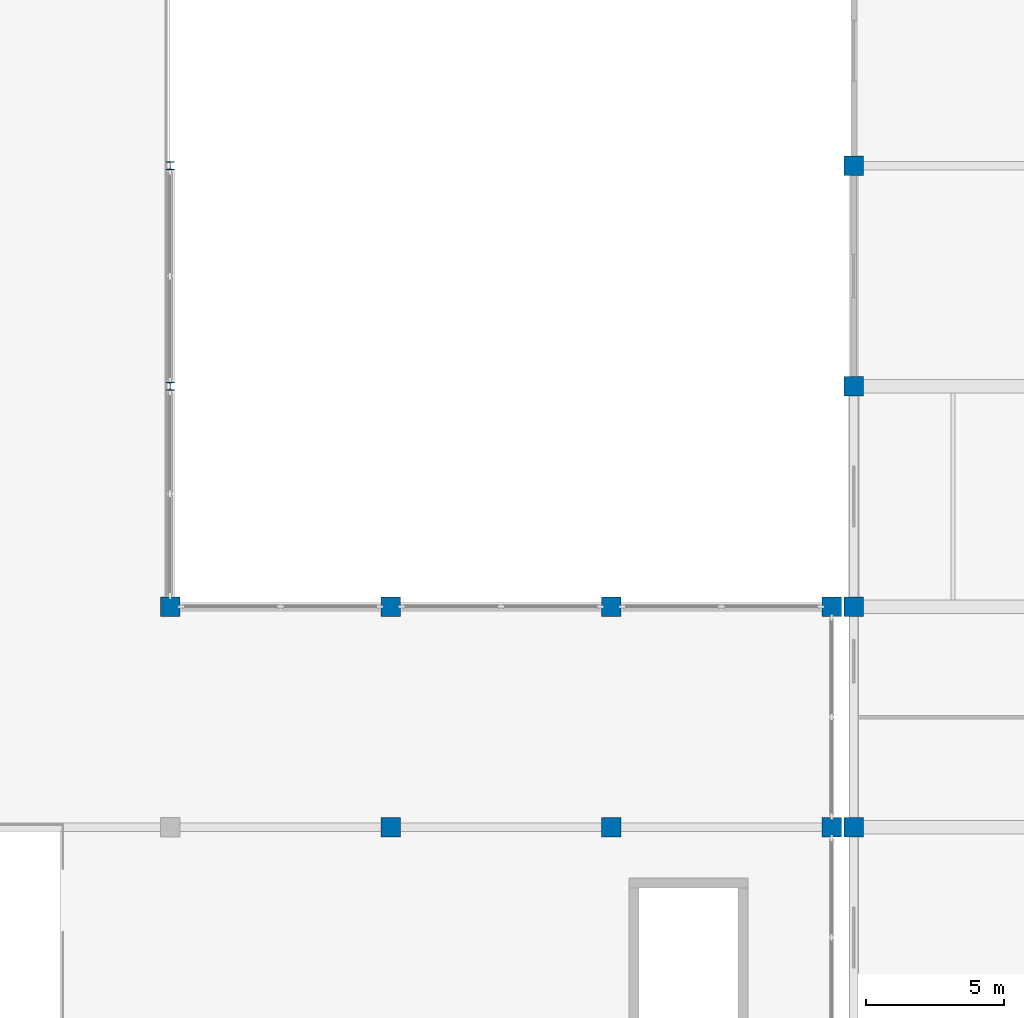
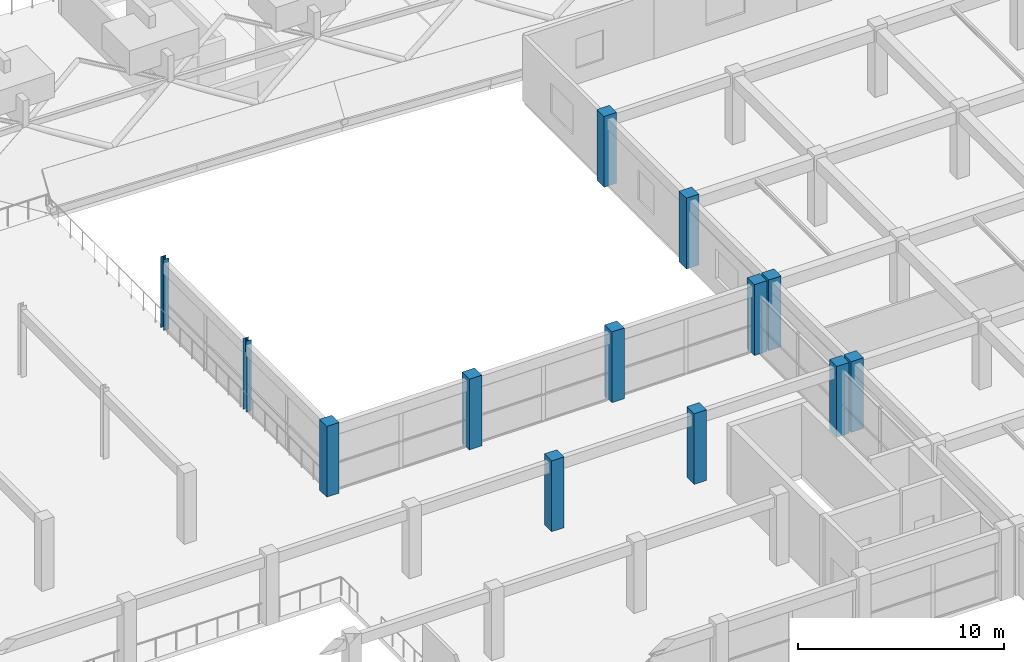
# One storey, part 3 of 67: 13 columns.
"""IFC4 building model written with IfcOpenShell, lengths in metres."""

from ifc_helpers import new_model, si_unit, direction, frame, origin, origin_2d, place, context, subcontext, project, spatial, rectangle, i_section, extrude, material, material_profile, profile_set, type_object, element, save


model = new_model("IFC4")

# Units and contexts
model_context = context("Model", 3, precision=1e-05, world=origin(), true_north=direction((0.0, 1.0)))
body_context = subcontext(model_context, "Body", "Model", "MODEL_VIEW")
ifc_project = project(units=[si_unit("LENGTHUNIT", "METRE"), si_unit("AREAUNIT", "SQUARE_METRE"), si_unit("VOLUMEUNIT", "CUBIC_METRE"), si_unit("PLANEANGLEUNIT", "RADIAN"), si_unit("MASSUNIT", "GRAM", prefix="KILO")], contexts=[model_context])

# Site, building, storey
site_placement = place(None, origin())
site = spatial("IfcSite", under=ifc_project, at=site_placement, CompositionType="ELEMENT")
building_placement = place(site_placement, origin())
building = spatial("IfcBuilding", under=site, at=building_placement, Name="Kenh Van Central Station", CompositionType="ELEMENT")
storey_placement = place(building_placement, frame((0.0, 0.0, 10.800048828125)))
storey = spatial("IfcBuildingStorey", under=building, at=storey_placement, Name="L02", CompositionType="ELEMENT", Elevation=10.800048828125)

# Columns
ifc_material_1 = material(Name="Concrete C40/50", Category="concrete")
ifc_material_profile_1 = material_profile(ifc_material_1, rectangle(XDim=0.699951171875, YDim=0.699951171875, at=origin_2d()), Name="RC 700x700")
ifc_profile_set_1 = profile_set([ifc_material_profile_1], Name="Concrete C40/50")
column_type_1 = type_object("IfcColumnType", Name="COL-RC-700x700", PredefinedType="COLUMN", material=ifc_profile_set_1)
for number, where, z_axis, x_axis, name in (
    (1, (96.0, 40.0, 0.0), (0.0, 0.0, 1.0), (1.0, 0.0, 0.0), "L02 column CC-096-040"),
    (2, (104.0, 32.0, 0.0), (0.0, 0.0, 1.0), (1.0, 0.0, 0.0), "L02 column CC-104-032"),
    (3, (104.0, 40.0, 0.0), (0.0, 0.0, 1.0), (1.0, 0.0, 0.0), "L02 column CC-104-040"),
    (4, (112.0, 32.0, 0.0), (0.0, 0.0, 1.0), (1.0, 0.0, 0.0), "L02 column CC-112-032"),
    (5, (112.0, 40.0, 0.0), (0.0, 0.0, 1.0), (1.0, 0.0, 0.0), "L02 column CC-112-040"),
    (6, (120.0, 32.0, 0.0), (0.0, 0.0, 1.0), (1.0, 0.0, 0.0), "L02 column CC-120-032"),
    (7, (120.0, 40.0, 0.0), (0.0, 0.0, 1.0), (1.0, 0.0, 0.0), "L02 column CC-120-040"),
    (8, (120.800048828125, 32.0, 0.0), (0.0, 0.0, 1.0), (1.0, 0.0, 0.0), "L02 column CE-1208-032"),
    (9, (120.800048828125, 40.0, 0.0), (0.0, 0.0, 1.0), (1.0, 0.0, 0.0), "L02 column CE-1208-040"),
    (10, (120.800048828125, 48.0, 0.0), (0.0, 0.0, 1.0), (1.0, 0.0, 0.0), "L02 column CE-1208-048"),
    (11, (120.800048828125, 56.0, 0.0), (0.0, 0.0, 1.0), (1.0, 0.0, 0.0), "L02 column CE-1208-056"),
):
    element("IfcColumn", number, at=place(storey_placement, frame(where, z_axis=z_axis, x_axis=x_axis)), inside=storey, type_object=column_type_1, Name=name, PredefinedType="COLUMN", context=body_context, shape_type="SweptSolid", body=[
        extrude(rectangle(XDim=0.699951171875, YDim=0.699951171875, at=origin_2d()), origin(), (0.0, 0.0, 1.0), 4.199951171875),
    ])
ifc_material_2 = material(Name="Steel S355", Category="steel")
ifc_material_profile_2 = material_profile(ifc_material_2, i_section(OverallWidth=0.300048828125, OverallDepth=0.300048828125, WebThickness=0.010986328125, FlangeThickness=0.01904296875, FilletRadius=0.027099609375, at=origin_2d()), Name="HEB 300")
ifc_profile_set_2 = profile_set([ifc_material_profile_2], Name="Steel S355")
column_type_2 = type_object("IfcColumnType", Name="COL-STL-HEB300", PredefinedType="COLUMN", material=ifc_profile_set_2)
for number, where, z_axis, x_axis, name in (
    (12, (96.0, 48.0, 0.0), (0.0, 0.0, 1.0), (1.0, 0.0, 0.0), "L02 column CB-096-048"),
    (13, (96.0, 56.0, 0.0), (0.0, 0.0, 1.0), (1.0, 0.0, 0.0), "L02 column CB-096-056"),
):
    element("IfcColumn", number, at=place(storey_placement, frame(where, z_axis=z_axis, x_axis=x_axis)), inside=storey, type_object=column_type_2, Name=name, PredefinedType="COLUMN", context=body_context, shape_type="SweptSolid", body=[
        extrude(i_section(OverallWidth=0.300048828125, OverallDepth=0.300048828125, WebThickness=0.010986328125, FlangeThickness=0.01904296875, FilletRadius=0.027099609375, at=origin_2d()), origin(), (0.0, 0.0, 1.0), 4.199951171875),
    ])

save(model, "model.ifc")
